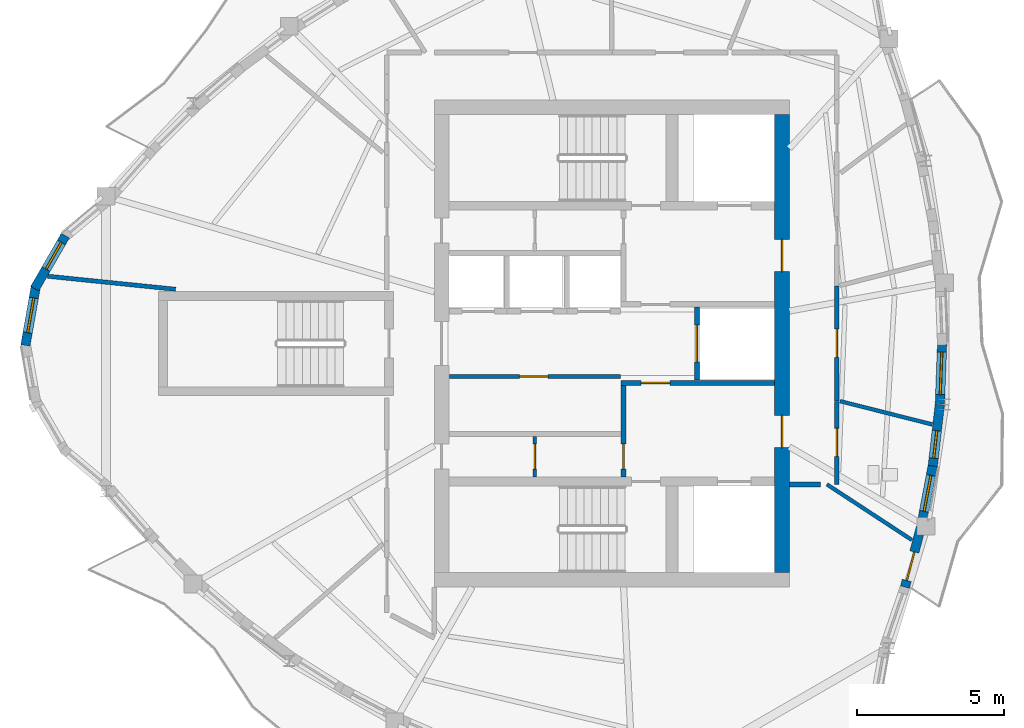
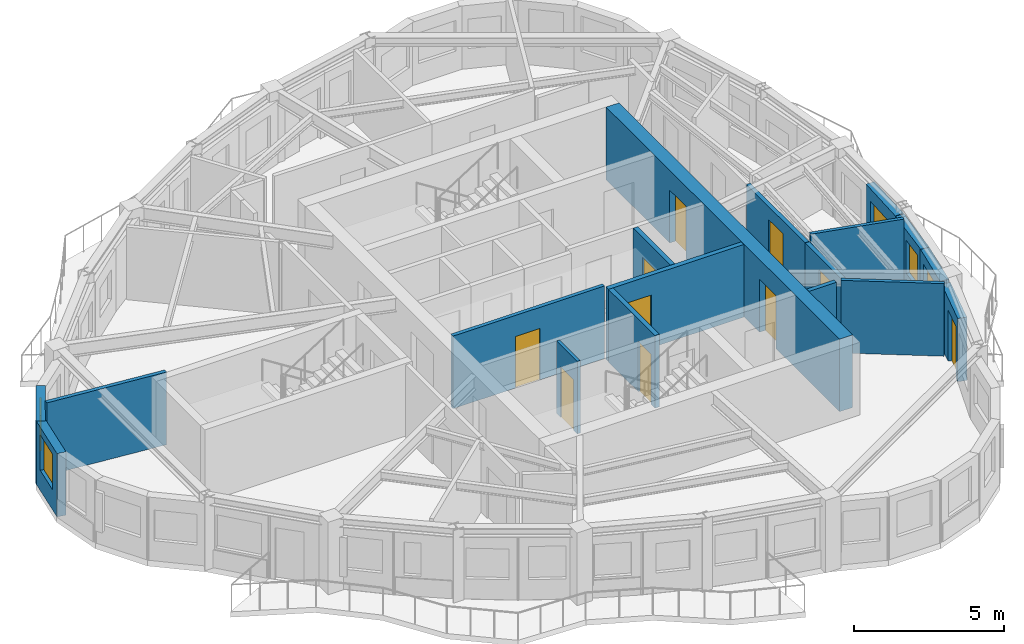
# One storey, part 4 of 11: 18 walls, 10 doors, 5 windows, 15 openings.
"""IFC4 building model written with IfcOpenShell, lengths in metres."""

from ifc_helpers import new_model, si_unit, direction, frame, frame_2d, origin, place, context, subcontext, project, spatial, rectangle, extrude, source, transform, mapped, material, layer, layer_set, type_object, element, fill, save


model = new_model("IFC4")

# Units and contexts
model_context = context("Model", 3, precision=1e-05, world=origin(), true_north=direction((0.0, 1.0)))
body_context = subcontext(model_context, "Body", "Model", "MODEL_VIEW")
ifc_project = project(units=[si_unit("LENGTHUNIT", "METRE"), si_unit("AREAUNIT", "SQUARE_METRE"), si_unit("VOLUMEUNIT", "CUBIC_METRE"), si_unit("PLANEANGLEUNIT", "RADIAN"), si_unit("MASSUNIT", "GRAM", prefix="KILO")], contexts=[model_context])

# Site, building, storey
site_placement = place(None, origin())
site = spatial("IfcSite", under=ifc_project, at=site_placement, CompositionType="ELEMENT")
building_placement = place(site_placement, origin())
building = spatial("IfcBuilding", under=site, at=building_placement, Name="Qafzar Sky-Pleat Residences", CompositionType="ELEMENT")
storey_placement = place(building_placement, frame((0.0, 0.0, 240.39990234375)))
storey = spatial("IfcBuildingStorey", under=building, at=storey_placement, Name="L72", CompositionType="ELEMENT", Elevation=240.39990234375)

# Wall, opening, door
ifc_material_1 = material(Name="Acoustic gypsum plasterboard partition", Category="gypsum")
ifc_layer_1 = layer(ifc_material_1, 0.159912109375)
ifc_layer_set_1 = layer_set([ifc_layer_1], Name="Acoustic gypsum plasterboard partition")
wall_type_1 = type_object("IfcWallType", Name="PART-COR-160", PredefinedType="PARTITIONING", material=ifc_layer_set_1)
wall_1_placement = place(storey_placement, frame((38.02001953125, 27.968994140625, 0.0), z_axis=(0.0, 0.0, 1.0), x_axis=(0.0, -1.0, 0.0)))
wall_1 = element("IfcWall", 1, at=wall_1_placement, inside=storey, type_object=wall_type_1, Name="L72 Partition Wall PART-L72-PW-005", PredefinedType="PARTITIONING", context=body_context, shape_type="SweptSolid", body=[
    extrude(rectangle(XDim=3.919921875, YDim=0.159912109375, at=frame_2d((1.9599609375, 0.0))), origin(), (0.0, 0.0, 1.0), 2.628173828125),
])
opening_1_placement = place(wall_1_placement, frame((1.4794921875, 0.0, 0.0)))
opening_1 = element("IfcOpeningElement", 2, at=opening_1_placement, cuts=wall_1, Name="Opening ID-06", PredefinedType="OPENING", context=body_context, shape_type="SweptSolid", body=[
    extrude(rectangle(XDim=0.9599609375, YDim=2.10009765625, at=frame_2d((0.47998046875, 1.050048828125))), frame((0.0, 0.08984375, 0.0), z_axis=(0.0, -1.0, 0.0), x_axis=(1.0, 0.0, 0.0)), (0.0, 0.0, 1.0), 0.179931640625),
])
ifc_material_2 = material(Name="Timber-faced fire door", Category="wood")
door_type_1 = type_object("IfcDoorType", Name="DR-STD-960", OperationType="NOTDEFINED", PredefinedType="DOOR", material=ifc_material_2)
shared_shape_1 = source(origin(), body_context, "Body", "SweptSolid", [
    extrude(rectangle(XDim=0.9599609375, YDim=2.10009765625, at=frame_2d((0.47998046875, 1.050048828125))), frame((0.0, 0.02490234375, 0.0), z_axis=(0.0, -1.0, 0.0), x_axis=(1.0, 0.0, 0.0)), (0.0, 0.0, 1.0), 0.050048828125),
])
door_1_placement = place(opening_1_placement, origin())
door_1 = element("IfcDoor", 3, at=door_1_placement, inside=storey, type_object=door_type_1, Name="L72 Media Screening Room Door", OperationType="SINGLE_SWING_RIGHT", OverallHeight=2.10009765625, OverallWidth=0.9599609375, PredefinedType="DOOR", context=body_context, shape_type="MappedRepresentation", body=[
    mapped(shared_shape_1, transform((0.0, 0.0, 0.0), x_axis=(1.0, 0.0, 0.0), y_axis=(0.0, 1.0, 0.0), z_axis=(0.0, 0.0, 1.0), scale=1.0)),
])
fill(opening_1, door_1)

wall_2_placement = place(storey_placement, frame((38.02001953125, 24.033935546875, 0.0), z_axis=(0.0, 0.0, 1.0), x_axis=(0.0, -1.0, 0.0)))
wall_2 = element("IfcWall", 4, at=wall_2_placement, inside=storey, type_object=wall_type_1, Name="L72 Partition Wall PART-L72-PW-007", PredefinedType="PARTITIONING", context=body_context, shape_type="SweptSolid", body=[
    extrude(rectangle(XDim=2.833984375, YDim=0.159912109375, at=frame_2d((1.4169921875, 0.0))), origin(), (0.0, 0.0, 1.0), 2.628173828125),
])
opening_2_placement = place(wall_2_placement, frame((0.926513671875, 0.0, 0.0)))
opening_2 = element("IfcOpeningElement", 5, at=opening_2_placement, cuts=wall_2, Name="Opening ID-08", PredefinedType="OPENING", context=body_context, shape_type="SweptSolid", body=[
    extrude(rectangle(XDim=0.949951171875, YDim=2.10009765625, at=frame_2d((0.47509765625, 1.050048828125))), frame((0.0, 0.08984375, 0.0), z_axis=(0.0, -1.0, 0.0), x_axis=(1.0, 0.0, 0.0)), (0.0, 0.0, 1.0), 0.179931640625),
])
door_type_2 = type_object("IfcDoorType", Name="DR-AWC-950", OperationType="NOTDEFINED", PredefinedType="DOOR", material=ifc_material_2)
shared_shape_2 = source(origin(), body_context, "Body", "SweptSolid", [
    extrude(rectangle(XDim=0.949951171875, YDim=2.10009765625, at=frame_2d((0.47509765625, 1.050048828125))), frame((0.0, 0.02490234375, 0.0), z_axis=(0.0, -1.0, 0.0), x_axis=(1.0, 0.0, 0.0)), (0.0, 0.0, 1.0), 0.050048828125),
])
door_2_placement = place(opening_2_placement, origin())
door_2 = element("IfcDoor", 6, at=door_2_placement, inside=storey, type_object=door_type_2, Name="L72 Accessible Shared Washroom Door", OperationType="SINGLE_SWING_RIGHT", OverallHeight=2.10009765625, OverallWidth=0.949951171875, PredefinedType="DOOR", context=body_context, shape_type="MappedRepresentation", body=[
    mapped(shared_shape_2, transform((0.0, 0.0, 0.0), x_axis=(1.0, 0.0, 0.0), y_axis=(0.0, 1.0, 0.0), z_axis=(0.0, 0.0, 1.0), scale=1.0)),
])
fill(opening_2, door_2)

# Wall
wall_3_placement = place(storey_placement, frame((36.407958984375, 21.199951171875, 0.0), z_axis=(0.0, 0.0, 1.0), x_axis=(1.0, 0.0, 0.0)))
element("IfcWall", 7, at=wall_3_placement, inside=storey, type_object=wall_type_1, Name="L72 Partition Wall PART-L72-PW-027", PredefinedType="PARTITIONING", context=body_context, shape_type="SweptSolid", body=[
    extrude(rectangle(XDim=1.06103515625, YDim=0.159912109375, at=frame_2d((0.530517578125, 0.0))), origin(), (0.0, 0.0, 1.0), 2.960205078125),
])

# Wall, opening, door
ifc_material_3 = material(Name="Concrete blockwork partition", Category="masonry")
ifc_layer_2 = layer(ifc_material_3, 0.179931640625)
ifc_layer_set_2 = layer_set([ifc_layer_2], Name="Concrete blockwork partition")
wall_type_2 = type_object("IfcWallType", Name="PART-SHAFT-180", PredefinedType="PARTITIONING", material=ifc_layer_set_2)
wall_4_placement = place(storey_placement, frame((30.75, 21.4599609375, 0.0), z_axis=(0.0, 0.0, 1.0), x_axis=(0.0, 1.0, 0.0)))
wall_4 = element("IfcWall", 8, at=wall_4_placement, inside=storey, type_object=wall_type_2, Name="L72 Partition Wall PART-L72-FFL1-W", PredefinedType="PARTITIONING", context=body_context, shape_type="SweptSolid", body=[
    extrude(rectangle(XDim=3.110107421875, YDim=0.179931640625, at=frame_2d((1.55517578125, 0.0))), origin(), (0.0, 0.0, 1.0), 2.960205078125),
])
opening_3_placement = place(wall_4_placement, frame((0.260009765625, 0.0, 0.0)))
opening_3 = element("IfcOpeningElement", 9, at=opening_3_placement, cuts=wall_4, Name="Opening ID-09", PredefinedType="OPENING", context=body_context, shape_type="SweptSolid", body=[
    extrude(rectangle(XDim=0.860107421875, YDim=2.050048828125, at=frame_2d((0.43017578125, 1.02490234375))), frame((0.0, 0.10009765625, 0.0), z_axis=(0.0, -1.0, 0.0), x_axis=(1.0, 0.0, 0.0)), (0.0, 0.0, 1.0), 0.199951171875),
])
door_type_3 = type_object("IfcDoorType", Name="DR-SVC-860", OperationType="NOTDEFINED", PredefinedType="DOOR", material=ifc_material_2)
shared_shape_3 = source(origin(), body_context, "Body", "SweptSolid", [
    extrude(rectangle(XDim=0.860107421875, YDim=2.050048828125, at=frame_2d((0.43017578125, 1.02490234375))), frame((0.0, 0.02490234375, 0.0), z_axis=(0.0, -1.0, 0.0), x_axis=(1.0, 0.0, 0.0)), (0.0, 0.0, 1.0), 0.050048828125),
])
door_3_placement = place(opening_3_placement, origin())
door_3 = element("IfcDoor", 10, at=door_3_placement, inside=storey, type_object=door_type_3, Name="L72 South Core Cupboard Door", OperationType="SINGLE_SWING_RIGHT", OverallHeight=2.050048828125, OverallWidth=0.860107421875, PredefinedType="DOOR", context=body_context, shape_type="MappedRepresentation", body=[
    mapped(shared_shape_3, transform((0.0, 0.0, 0.0), x_axis=(1.0, 0.0, 0.0), y_axis=(0.0, 1.0, 0.0), z_axis=(0.0, 0.0, 1.0), scale=1.0)),
])
fill(opening_3, door_3)

wall_5_placement = place(storey_placement, frame((30.669921875, 24.659912109375, 0.0), z_axis=(0.0, 0.0, 1.0), x_axis=(1.0, 0.0, 0.0)))
wall_5 = element("IfcWall", 11, at=wall_5_placement, inside=storey, type_object=wall_type_2, Name="L72 Partition Wall PART-L72-FFL1-N", PredefinedType="PARTITIONING", context=body_context, shape_type="SweptSolid", body=[
    extrude(rectangle(XDim=5.219970703125, YDim=0.179931640625, at=frame_2d((2.60986328125, 0.0))), origin(), (0.0, 0.0, 1.0), 2.960205078125),
])
opening_4_placement = place(wall_5_placement, frame((0.679931640625, 0.0, 0.0)))
opening_4 = element("IfcOpeningElement", 12, at=opening_4_placement, cuts=wall_5, Name="Opening ID-01", PredefinedType="OPENING", context=body_context, shape_type="SweptSolid", body=[
    extrude(rectangle(XDim=0.97998046875, YDim=2.14990234375, at=frame_2d((0.489990234375, 1.074951171875))), frame((0.0, 0.10009765625, 0.0), z_axis=(0.0, -1.0, 0.0), x_axis=(1.0, 0.0, 0.0)), (0.0, 0.0, 1.0), 0.199951171875),
])
door_type_4 = type_object("IfcDoorType", Name="DR-STAIR-980", OperationType="NOTDEFINED", PredefinedType="DOOR", material=ifc_material_2)
shared_shape_4 = source(origin(), body_context, "Body", "SweptSolid", [
    extrude(rectangle(XDim=0.97998046875, YDim=2.14990234375, at=frame_2d((0.489990234375, 1.074951171875))), frame((0.0, 0.02490234375, 0.0), z_axis=(0.0, -1.0, 0.0), x_axis=(1.0, 0.0, 0.0)), (0.0, 0.0, 1.0), 0.050048828125),
])
door_4_placement = place(opening_4_placement, origin())
door_4 = element("IfcDoor", 13, at=door_4_placement, inside=storey, type_object=door_type_4, Name="L72 Lift Lobby to South Firefighting Lobby Door", OperationType="SINGLE_SWING_LEFT", OverallHeight=2.14990234375, OverallWidth=0.97998046875, PredefinedType="DOOR", context=body_context, shape_type="MappedRepresentation", body=[
    mapped(shared_shape_4, transform((0.0, 0.0, 0.0), x_axis=(1.0, 0.0, 0.0), y_axis=(0.0, 1.0, 0.0), z_axis=(0.0, 0.0, 1.0), scale=1.0)),
])
fill(opening_4, door_4)

wall_6_placement = place(storey_placement, frame((33.25, 24.760009765625, 0.0), z_axis=(0.0, 0.0, 1.0), x_axis=(0.0, 1.0, 0.0)))
wall_6 = element("IfcWall", 14, at=wall_6_placement, inside=storey, type_object=wall_type_2, Name="L72 Partition Wall PART-L72-SV1-W", PredefinedType="PARTITIONING", context=body_context, shape_type="SweptSolid", body=[
    extrude(rectangle(XDim=2.47998046875, YDim=0.179931640625, at=frame_2d((1.239990234375, 0.0))), origin(), (0.0, 0.0, 1.0), 2.960205078125),
])
opening_5_placement = place(wall_6_placement, frame((0.614990234375, 0.0, 0.0)))
opening_5 = element("IfcOpeningElement", 15, at=opening_5_placement, cuts=wall_6, Name="Opening LD-03", PredefinedType="OPENING", context=body_context, shape_type="SweptSolid", body=[
    extrude(rectangle(XDim=1.25, YDim=2.14990234375, at=frame_2d((0.625, 1.074951171875))), frame((0.0, 0.10009765625, 0.0), z_axis=(0.0, -1.0, 0.0), x_axis=(1.0, 0.0, 0.0)), (0.0, 0.0, 1.0), 0.199951171875),
])
ifc_material_4 = material(Name="Stainless steel sliding landing door", Category="steel")
door_type_5 = type_object("IfcDoorType", Name="DR-LIFT-SV", OperationType="DOUBLE_DOOR_SLIDING", PredefinedType="DOOR", material=ifc_material_4)
shared_shape_5 = source(origin(), body_context, "Body", "SweptSolid", [
    extrude(rectangle(XDim=1.25, YDim=2.14990234375, at=frame_2d((0.625, 1.074951171875))), frame((0.0, 0.02490234375, 0.0), z_axis=(0.0, -1.0, 0.0), x_axis=(1.0, 0.0, 0.0)), (0.0, 0.0, 1.0), 0.050048828125),
])
door_5_placement = place(opening_5_placement, origin())
door_5 = element("IfcDoor", 16, at=door_5_placement, inside=storey, type_object=door_type_5, Name="L72 Service Lift SV1 Landing Door", OperationType="DOUBLE_DOOR_SLIDING", OverallHeight=2.14990234375, OverallWidth=1.25, PredefinedType="DOOR", context=body_context, shape_type="MappedRepresentation", body=[
    mapped(shared_shape_5, transform((0.0, 0.0, 0.0), x_axis=(1.0, 0.0, 0.0), y_axis=(0.0, 1.0, 0.0), z_axis=(0.0, 0.0, 1.0), scale=1.0)),
])
fill(opening_5, door_5)

ifc_material_5 = material(Name="Gypsum plasterboard partition", Category="gypsum")
ifc_layer_3 = layer(ifc_material_5, 0.114990234375)
ifc_layer_set_3 = layer_set([ifc_layer_3], Name="Gypsum plasterboard partition")
wall_type_3 = type_object("IfcWallType", Name="PART-SVC-115", PredefinedType="PARTITIONING", material=ifc_layer_set_3)
wall_7_placement = place(storey_placement, frame((27.72509765625, 21.4599609375, 0.0), z_axis=(0.0, 0.0, 1.0), x_axis=(0.0, 1.0, 0.0)))
wall_7 = element("IfcWall", 17, at=wall_7_placement, inside=storey, type_object=wall_type_3, Name="L72 Partition Wall PART-L72-KB-SW", PredefinedType="PARTITIONING", context=body_context, shape_type="SweptSolid", body=[
    extrude(rectangle(XDim=1.380126953125, YDim=0.114990234375, at=frame_2d((0.68994140625, 0.0))), origin(), (0.0, 0.0, 1.0), 2.960205078125),
])
opening_6_placement = place(wall_7_placement, frame((0.260009765625, 0.0, 0.0)))
opening_6 = element("IfcOpeningElement", 18, at=opening_6_placement, cuts=wall_7, Name="Opening ID-09", PredefinedType="OPENING", context=body_context, shape_type="SweptSolid", body=[
    extrude(rectangle(XDim=0.860107421875, YDim=2.050048828125, at=frame_2d((0.43017578125, 1.02490234375))), frame((0.0, 0.0673828125, 0.0), z_axis=(0.0, -1.0, 0.0), x_axis=(1.0, 0.0, 0.0)), (0.0, 0.0, 1.0), 0.135009765625),
])
door_6_placement = place(opening_6_placement, origin())
door_6 = element("IfcDoor", 19, at=door_6_placement, inside=storey, type_object=door_type_3, Name="L72 BMS Metering Cupboard Door", OperationType="SINGLE_SWING_LEFT", OverallHeight=2.050048828125, OverallWidth=0.860107421875, PredefinedType="DOOR", context=body_context, shape_type="MappedRepresentation", body=[
    mapped(shared_shape_3, transform((0.0, 0.0, 0.0), x_axis=(1.0, 0.0, 0.0), y_axis=(0.0, 1.0, 0.0), z_axis=(0.0, 0.0, 1.0), scale=1.0)),
])
fill(opening_6, door_6)

ifc_layer_4 = layer(ifc_material_1, 0.14501953125)
ifc_layer_set_4 = layer_set([ifc_layer_4], Name="Acoustic gypsum plasterboard partition")
wall_type_4 = type_object("IfcWallType", Name="PART-UNIT-145", PredefinedType="PARTITIONING", material=ifc_layer_set_4)
wall_8_placement = place(storey_placement, frame((24.81005859375, 24.8798828125, 0.0), z_axis=(0.0, 0.0, 1.0), x_axis=(1.0, 0.0, 0.0)))
wall_8 = element("IfcWall", 20, at=wall_8_placement, inside=storey, type_object=wall_type_4, Name="L72 Partition Wall PART-L72-RECLAIM-N", PredefinedType="PARTITIONING", context=body_context, shape_type="SweptSolid", body=[
    extrude(rectangle(XDim=5.83984375, YDim=0.14501953125, at=frame_2d((2.919921875, 0.0))), origin(), (0.0, 0.0, 1.0), 2.960205078125),
])
opening_7_placement = place(wall_8_placement, frame((2.39990234375, 0.0, 0.0)))
opening_7 = element("IfcOpeningElement", 21, at=opening_7_placement, cuts=wall_8, Name="Opening ID-06", PredefinedType="OPENING", context=body_context, shape_type="SweptSolid", body=[
    extrude(rectangle(XDim=0.9599609375, YDim=2.10009765625, at=frame_2d((0.47998046875, 1.050048828125))), frame((0.0, 0.08251953125, 0.0), z_axis=(0.0, -1.0, 0.0), x_axis=(1.0, 0.0, 0.0)), (0.0, 0.0, 1.0), 0.1650390625),
])
door_7_placement = place(opening_7_placement, origin())
door_7 = element("IfcDoor", 22, at=door_7_placement, inside=storey, type_object=door_type_1, Name="L72 Reclaimed Resident Laundry Room Door", OperationType="SINGLE_SWING_RIGHT", OverallHeight=2.10009765625, OverallWidth=0.9599609375, PredefinedType="DOOR", context=body_context, shape_type="MappedRepresentation", body=[
    mapped(shared_shape_1, transform((0.0, 0.0, 0.0), x_axis=(1.0, 0.0, 0.0), y_axis=(0.0, 1.0, 0.0), z_axis=(0.0, 0.0, 1.0), scale=1.0)),
])
fill(opening_7, door_7)

# Walls
wall_9_placement = place(storey_placement, frame((11.1220703125, 28.29541015625, 0.0), z_axis=(0.0, 0.0, 1.0), x_axis=(0.994824263869, -0.101610452307, 0.0)))
element("IfcWall", 23, at=wall_9_placement, inside=storey, type_object=wall_type_4, Name="L72 Partition Wall PART-L72-PW-015", PredefinedType="PARTITIONING", context=body_context, shape_type="SweptSolid", body=[
    extrude(rectangle(XDim=4.382568359375, YDim=0.14501953125, at=frame_2d((2.19140625, 0.0))), origin(), (0.0, 0.0, 1.0), 2.960205078125),
])
ifc_material_6 = material(Name="Moisture-resistant gypsum partition", Category="gypsum")
ifc_layer_5 = layer(ifc_material_6, 0.1298828125)
ifc_layer_set_5 = layer_set([ifc_layer_5], Name="Moisture-resistant gypsum partition")
wall_type_5 = type_object("IfcWallType", Name="PART-WET-130", PredefinedType="PARTITIONING", material=ifc_layer_set_5)
wall_10_placement = place(storey_placement, frame((37.681884765625, 21.199951171875, 0.0), z_axis=(0.0, 0.0, 1.0), x_axis=(0.836735641589, -0.547607036199, 0.0)))
element("IfcWall", 24, at=wall_10_placement, inside=storey, type_object=wall_type_5, Name="L72 Partition Wall PART-L72-PW-016", PredefinedType="PARTITIONING", context=body_context, shape_type="SweptSolid", body=[
    extrude(rectangle(XDim=3.45703125, YDim=0.1298828125, at=frame_2d((1.728515625, 0.0))), origin(), (0.0, 0.0, 1.0), 2.960205078125),
])
wall_11_placement = place(storey_placement, frame((38.123779296875, 24.038818359375, 0.0), z_axis=(0.0, 0.0, 1.0), x_axis=(0.969564932613, -0.244834314275, 0.0)))
element("IfcWall", 25, at=wall_11_placement, inside=storey, type_object=wall_type_5, Name="L72 Partition Wall PART-L72-PW-017", PredefinedType="PARTITIONING", context=body_context, shape_type="SweptSolid", body=[
    extrude(rectangle(XDim=3.247802734375, YDim=0.1298828125, at=frame_2d((1.6240234375, 0.0))), origin(), (0.0, 0.0, 1.0), 2.960205078125),
])

# Wall, opening, window
ifc_material_7 = material(Name="Precast concrete C40/50 with honed Riyadh limestone", Category="concrete")
ifc_layer_6 = layer(ifc_material_7, 0.320068359375)
ifc_layer_set_6 = layer_set([ifc_layer_6], Name="Precast concrete C40/50 with honed Riyadh limestone")
wall_type_6 = type_object("IfcWallType", Name="WALL-EXT-320", PredefinedType="SOLIDWALL", material=ifc_layer_set_6)
wall_12_placement = place(storey_placement, frame((11.724609375, 29.68115234375, 0.0), z_axis=(0.0, 0.0, 1.0), x_axis=(-0.499995423472, -0.866028046028, 0.0)))
wall_12 = element("IfcWall", 26, at=wall_12_placement, inside=storey, type_object=wall_type_6, Name="L72 Limestone Facade Wall 2", PredefinedType="SOLIDWALL", context=body_context, shape_type="SweptSolid", body=[
    extrude(rectangle(XDim=2.09033203125, YDim=0.320068359375, at=frame_2d((1.045166015625, 0.0))), origin(), (0.0, 0.0, 1.0), 2.580078125),
])
opening_8_placement = place(wall_12_placement, frame((0.27001953125, 0.0, 0.820068359375)))
opening_8 = element("IfcOpeningElement", 27, at=opening_8_placement, cuts=wall_12, Name="Opening WN-06", PredefinedType="OPENING", context=body_context, shape_type="SweptSolid", body=[
    extrude(rectangle(XDim=1.050048828125, YDim=1.449951171875, at=frame_2d((0.52490234375, 0.72509765625))), frame((0.0, 0.169921875, 0.0), z_axis=(0.0, -1.0, 0.0), x_axis=(1.0, 0.0, 0.0)), (0.0, 0.0, 1.0), 0.340087890625),
])
ifc_material_8 = material(Name="Solar-control low-E glass in bronze aluminium frame", Category="glass")
window_type_1 = type_object("IfcWindowType", Name="WIN-06", PartitioningType="SINGLE_PANEL", PredefinedType="WINDOW", material=ifc_material_8)
shared_shape_6 = source(origin(), body_context, "Body", "SweptSolid", [
    extrude(rectangle(XDim=1.050048828125, YDim=1.449951171875, at=frame_2d((0.52490234375, 0.72509765625))), frame((0.0, 0.030029296875, 0.0), z_axis=(0.0, -1.0, 0.0), x_axis=(1.0, 0.0, 0.0)), (0.0, 0.0, 1.0), 0.06005859375),
])
window_1_placement = place(opening_8_placement, origin())
window_1 = element("IfcWindow", 28, at=window_1_placement, inside=storey, type_object=window_type_1, Name="L72 Punched Facade Window 02", OverallHeight=1.449951171875, OverallWidth=1.050048828125, PartitioningType="SINGLE_PANEL", PredefinedType="WINDOW", context=body_context, shape_type="MappedRepresentation", body=[
    mapped(shared_shape_6, transform((0.0, 0.0, 0.0), x_axis=(1.0, 0.0, 0.0), y_axis=(0.0, 1.0, 0.0), z_axis=(0.0, 0.0, 1.0), scale=1.0)),
])
fill(opening_8, window_1)

wall_13_placement = place(storey_placement, frame((10.72412109375, 27.993408203125, 0.0), z_axis=(0.0, 0.0, 1.0), x_axis=(-0.173672066494, -0.984803540469, 0.0)))
wall_13 = element("IfcWall", 29, at=wall_13_placement, inside=storey, type_object=wall_type_6, Name="L72 Limestone Facade Wall 3", PredefinedType="SOLIDWALL", context=body_context, shape_type="SweptSolid", body=[
    extrude(rectangle(XDim=2.09033203125, YDim=0.320068359375, at=frame_2d((1.045166015625, 0.0))), origin(), (0.0, 0.0, 1.0), 2.580078125),
])
opening_9_placement = place(wall_13_placement, frame((0.4453125, 0.0, 0.820068359375)))
opening_9 = element("IfcOpeningElement", 30, at=opening_9_placement, cuts=wall_13, Name="Opening WN-05", PredefinedType="OPENING", context=body_context, shape_type="SweptSolid", body=[
    extrude(rectangle(XDim=1.199951171875, YDim=1.449951171875, at=frame_2d((0.60009765625, 0.72509765625))), frame((0.0, 0.169921875, 0.0), z_axis=(0.0, -1.0, 0.0), x_axis=(1.0, 0.0, 0.0)), (0.0, 0.0, 1.0), 0.340087890625),
])
window_type_2 = type_object("IfcWindowType", Name="WIN-05", PartitioningType="SINGLE_PANEL", PredefinedType="WINDOW", material=ifc_material_8)
shared_shape_7 = source(origin(), body_context, "Body", "SweptSolid", [
    extrude(rectangle(XDim=1.199951171875, YDim=1.449951171875, at=frame_2d((0.60009765625, 0.72509765625))), frame((0.0, 0.030029296875, 0.0), z_axis=(0.0, -1.0, 0.0), x_axis=(1.0, 0.0, 0.0)), (0.0, 0.0, 1.0), 0.06005859375),
])
window_2_placement = place(opening_9_placement, origin())
window_2 = element("IfcWindow", 31, at=window_2_placement, inside=storey, type_object=window_type_2, Name="L72 Punched Facade Window 03", OverallHeight=1.449951171875, OverallWidth=1.199951171875, PartitioningType="SINGLE_PANEL", PredefinedType="WINDOW", context=body_context, shape_type="MappedRepresentation", body=[
    mapped(shared_shape_7, transform((0.0, 0.0, 0.0), x_axis=(1.0, 0.0, 0.0), y_axis=(0.0, 1.0, 0.0), z_axis=(0.0, 0.0, 1.0), scale=1.0)),
])
fill(opening_9, window_2)

# Wall, opening, door
wall_14_placement = place(storey_placement, frame((40.3408203125, 17.697509765625, 0.0), z_axis=(0.0, 0.0, 1.0), x_axis=(0.257053933935, 0.966397058692, 0.0)))
wall_14 = element("IfcWall", 32, at=wall_14_placement, inside=storey, type_object=wall_type_6, Name="L72 Limestone Facade Wall 24", PredefinedType="SOLIDWALL", context=body_context, shape_type="SweptSolid", body=[
    extrude(rectangle(XDim=2.09716796875, YDim=0.320068359375, at=frame_2d((1.048583984375, 0.0))), origin(), (0.0, 0.0, 1.0), 2.580078125),
])
opening_10_placement = place(wall_14_placement, frame((0.239990234375, 0.0, 0.0)))
opening_10 = element("IfcOpeningElement", 33, at=opening_10_placement, cuts=wall_14, Name="Opening ED-05", PredefinedType="OPENING", context=body_context, shape_type="SweptSolid", body=[
    extrude(rectangle(XDim=1.0, YDim=2.10009765625, at=frame_2d((0.5, 1.050048828125))), frame((0.0, 0.169921875, 0.0), z_axis=(0.0, -1.0, 0.0), x_axis=(1.0, 0.0, 0.0)), (0.0, 0.0, 1.0), 0.340087890625),
])
ifc_material_9 = material(Name="Glazed bronze aluminium door", Category="aluminium")
door_type_6 = type_object("IfcDoorType", Name="DR-BAL-1000", OperationType="NOTDEFINED", PredefinedType="DOOR", material=ifc_material_9)
shared_shape_8 = source(origin(), body_context, "Body", "SweptSolid", [
    extrude(rectangle(XDim=1.0, YDim=2.10009765625, at=frame_2d((0.5, 1.050048828125))), frame((0.0, 0.02490234375, 0.0), z_axis=(0.0, -1.0, 0.0), x_axis=(1.0, 0.0, 0.0)), (0.0, 0.0, 1.0), 0.050048828125),
])
door_8_placement = place(opening_10_placement, origin())
door_8 = element("IfcDoor", 34, at=door_8_placement, inside=storey, type_object=door_type_6, Name="L72 Glazed Balcony Door 1", OperationType="SINGLE_SWING_LEFT", OverallHeight=2.10009765625, OverallWidth=1.0, PredefinedType="DOOR", context=body_context, shape_type="MappedRepresentation", body=[
    mapped(shared_shape_8, transform((0.0, 0.0, 0.0), x_axis=(1.0, 0.0, 0.0), y_axis=(0.0, 1.0, 0.0), z_axis=(0.0, 0.0, 1.0), scale=1.0)),
])
fill(opening_10, door_8)

# Wall, opening, window
wall_15_placement = place(storey_placement, frame((40.917236328125, 19.88818359375, 0.0), z_axis=(0.0, 0.0, 1.0), x_axis=(0.186611504025, 0.98243378737, 0.0)))
wall_15 = element("IfcWall", 35, at=wall_15_placement, inside=storey, type_object=wall_type_6, Name="L72 Limestone Facade Wall 25", PredefinedType="SOLIDWALL", context=body_context, shape_type="SweptSolid", body=[
    extrude(rectangle(XDim=2.061767578125, YDim=0.320068359375, at=frame_2d((1.03076171875, 0.0))), origin(), (0.0, 0.0, 1.0), 2.580078125),
])
opening_11_placement = place(wall_15_placement, frame((0.40087890625, 0.0, 0.820068359375)))
opening_11 = element("IfcOpeningElement", 36, at=opening_11_placement, cuts=wall_15, Name="Opening WN-11", PredefinedType="OPENING", context=body_context, shape_type="SweptSolid", body=[
    extrude(rectangle(XDim=1.25, YDim=1.35009765625, at=frame_2d((0.625, 0.675048828125))), frame((0.0, 0.169921875, 0.0), z_axis=(0.0, -1.0, 0.0), x_axis=(1.0, 0.0, 0.0)), (0.0, 0.0, 1.0), 0.340087890625),
])
window_type_3 = type_object("IfcWindowType", Name="WIN-11", PartitioningType="SINGLE_PANEL", PredefinedType="WINDOW", material=ifc_material_8)
shared_shape_9 = source(origin(), body_context, "Body", "SweptSolid", [
    extrude(rectangle(XDim=1.25, YDim=1.35009765625, at=frame_2d((0.625, 0.675048828125))), frame((0.0, 0.030029296875, 0.0), z_axis=(0.0, -1.0, 0.0), x_axis=(1.0, 0.0, 0.0)), (0.0, 0.0, 1.0), 0.06005859375),
])
window_3_placement = place(opening_11_placement, origin())
window_3 = element("IfcWindow", 37, at=window_3_placement, inside=storey, type_object=window_type_3, Name="L72 Punched Facade Window 25", OverallHeight=1.35009765625, OverallWidth=1.25, PartitioningType="SINGLE_PANEL", PredefinedType="WINDOW", context=body_context, shape_type="MappedRepresentation", body=[
    mapped(shared_shape_9, transform((0.0, 0.0, 0.0), x_axis=(1.0, 0.0, 0.0), y_axis=(0.0, 1.0, 0.0), z_axis=(0.0, 0.0, 1.0), scale=1.0)),
])
fill(opening_11, window_3)

wall_16_placement = place(storey_placement, frame((41.288818359375, 21.826904296875, 0.0), z_axis=(0.0, 0.0, 1.0), x_axis=(0.113366965958, 0.993553184802, 0.0)))
wall_16 = element("IfcWall", 38, at=wall_16_placement, inside=storey, type_object=wall_type_6, Name="L72 Limestone Facade Wall 26", PredefinedType="SOLIDWALL", context=body_context, shape_type="SweptSolid", body=[
    extrude(rectangle(XDim=2.1083984375, YDim=0.320068359375, at=frame_2d((1.05419921875, 0.0))), origin(), (0.0, 0.0, 1.0), 2.580078125),
])
opening_12_placement = place(wall_16_placement, frame((0.26611328125, 0.0, 0.820068359375)))
opening_12 = element("IfcOpeningElement", 39, at=opening_12_placement, cuts=wall_16, Name="Opening WN-12", PredefinedType="OPENING", context=body_context, shape_type="SweptSolid", body=[
    extrude(rectangle(XDim=0.949951171875, YDim=1.35009765625, at=frame_2d((0.47509765625, 0.675048828125))), frame((0.0, 0.169921875, 0.0), z_axis=(0.0, -1.0, 0.0), x_axis=(1.0, 0.0, 0.0)), (0.0, 0.0, 1.0), 0.340087890625),
])
window_type_4 = type_object("IfcWindowType", Name="WIN-12", PartitioningType="SINGLE_PANEL", PredefinedType="WINDOW", material=ifc_material_8)
shared_shape_10 = source(origin(), body_context, "Body", "SweptSolid", [
    extrude(rectangle(XDim=0.949951171875, YDim=1.35009765625, at=frame_2d((0.47509765625, 0.675048828125))), frame((0.0, 0.030029296875, 0.0), z_axis=(0.0, -1.0, 0.0), x_axis=(1.0, 0.0, 0.0)), (0.0, 0.0, 1.0), 0.06005859375),
])
window_4_placement = place(opening_12_placement, origin())
window_4 = element("IfcWindow", 40, at=window_4_placement, inside=storey, type_object=window_type_4, Name="L72 Punched Facade Window 26", OverallHeight=1.35009765625, OverallWidth=0.949951171875, PartitioningType="SINGLE_PANEL", PredefinedType="WINDOW", context=body_context, shape_type="MappedRepresentation", body=[
    mapped(shared_shape_10, transform((0.0, 0.0, 0.0), x_axis=(1.0, 0.0, 0.0), y_axis=(0.0, 1.0, 0.0), z_axis=(0.0, 0.0, 1.0), scale=1.0)),
])
fill(opening_12, window_4)

wall_17_placement = place(storey_placement, frame((41.52978515625, 23.949462890625, 0.0), z_axis=(0.0, 0.0, 1.0), x_axis=(0.038088671965, 0.99927436326, 0.0)))
wall_17 = element("IfcWall", 41, at=wall_17_placement, inside=storey, type_object=wall_type_6, Name="L72 Limestone Facade Wall 27", PredefinedType="SOLIDWALL", context=body_context, shape_type="SweptSolid", body=[
    extrude(rectangle(XDim=2.095947265625, YDim=0.320068359375, at=frame_2d((1.0478515625, 0.0))), origin(), (0.0, 0.0, 1.0), 2.580078125),
])
opening_13_placement = place(wall_17_placement, frame((0.31298828125, 0.0, 0.820068359375)))
opening_13 = element("IfcOpeningElement", 42, at=opening_13_placement, cuts=wall_17, Name="Opening WN-15", PredefinedType="OPENING", context=body_context, shape_type="SweptSolid", body=[
    extrude(rectangle(XDim=1.449951171875, YDim=1.25, at=frame_2d((0.72509765625, 0.625))), frame((0.0, 0.169921875, 0.0), z_axis=(0.0, -1.0, 0.0), x_axis=(1.0, 0.0, 0.0)), (0.0, 0.0, 1.0), 0.340087890625),
])
window_type_5 = type_object("IfcWindowType", Name="WIN-15", PartitioningType="SINGLE_PANEL", PredefinedType="WINDOW", material=ifc_material_8)
shared_shape_11 = source(origin(), body_context, "Body", "SweptSolid", [
    extrude(rectangle(XDim=1.449951171875, YDim=1.25, at=frame_2d((0.72509765625, 0.625))), frame((0.0, 0.030029296875, 0.0), z_axis=(0.0, -1.0, 0.0), x_axis=(1.0, 0.0, 0.0)), (0.0, 0.0, 1.0), 0.06005859375),
])
window_5_placement = place(opening_13_placement, origin())
window_5 = element("IfcWindow", 43, at=window_5_placement, inside=storey, type_object=window_type_5, Name="L72 Punched Facade Window 27", OverallHeight=1.25, OverallWidth=1.449951171875, PartitioningType="SINGLE_PANEL", PredefinedType="WINDOW", context=body_context, shape_type="MappedRepresentation", body=[
    mapped(shared_shape_11, transform((0.0, 0.0, 0.0), x_axis=(1.0, 0.0, 0.0), y_axis=(0.0, 1.0, 0.0), z_axis=(0.0, 0.0, 1.0), scale=1.0)),
])
fill(opening_13, window_5)

# Wall, openings, doors
ifc_material_10 = material(Name="Concrete C60/75", Category="concrete")
ifc_layer_7 = layer(ifc_material_10, 0.5)
ifc_layer_set_7 = layer_set([ifc_layer_7], Name="Concrete C60/75")
wall_type_7 = type_object("IfcWallType", Name="WALL-SHEAR-500", PredefinedType="SHEAR", material=ifc_layer_set_7)
wall_18_placement = place(storey_placement, frame((36.14990234375, 18.199951171875, 0.0), z_axis=(0.0, 0.0, 1.0), x_axis=(0.0, 1.0, 0.0)))
wall_18 = element("IfcWall", 44, at=wall_18_placement, inside=storey, type_object=wall_type_7, Name="L72 CORE wall E", PredefinedType="SHEAR", context=body_context, shape_type="SweptSolid", body=[
    extrude(rectangle(XDim=15.60009765625, YDim=0.5, at=frame_2d((7.800048828125, 0.0))), origin(), (0.0, 0.0, 1.0), 2.960205078125),
])
opening_14_placement = place(wall_18_placement, frame((4.25, 0.0, 0.0)))
opening_14 = element("IfcOpeningElement", 45, at=opening_14_placement, cuts=wall_18, Name="Opening ID-02", PredefinedType="OPENING", context=body_context, shape_type="SweptSolid", body=[
    extrude(rectangle(XDim=1.10009765625, YDim=2.14990234375, at=frame_2d((0.550048828125, 1.074951171875))), frame((0.0, 0.260009765625, 0.0), z_axis=(0.0, -1.0, 0.0), x_axis=(1.0, 0.0, 0.0)), (0.0, 0.0, 1.0), 0.52001953125),
])
opening_15_placement = place(wall_18_placement, frame((10.25, 0.0, 0.0)))
opening_15 = element("IfcOpeningElement", 46, at=opening_15_placement, cuts=wall_18, Name="Opening ID-02", PredefinedType="OPENING", context=body_context, shape_type="SweptSolid", body=[
    extrude(rectangle(XDim=1.10009765625, YDim=2.14990234375, at=frame_2d((0.550048828125, 1.074951171875))), frame((0.0, 0.260009765625, 0.0), z_axis=(0.0, -1.0, 0.0), x_axis=(1.0, 0.0, 0.0)), (0.0, 0.0, 1.0), 0.52001953125),
])
door_type_7 = type_object("IfcDoorType", Name="DR-FFL-1100", OperationType="NOTDEFINED", PredefinedType="DOOR", material=ifc_material_2)
shared_shape_12 = source(origin(), body_context, "Body", "SweptSolid", [
    extrude(rectangle(XDim=1.10009765625, YDim=2.14990234375, at=frame_2d((0.550048828125, 1.074951171875))), frame((0.0, 0.02490234375, 0.0), z_axis=(0.0, -1.0, 0.0), x_axis=(1.0, 0.0, 0.0)), (0.0, 0.0, 1.0), 0.050048828125),
])
door_9_placement = place(opening_14_placement, origin())
door_9 = element("IfcDoor", 47, at=door_9_placement, inside=storey, type_object=door_type_7, Name="L72 Firefighting Lobby South Corridor Door", OperationType="SINGLE_SWING_RIGHT", OverallHeight=2.14990234375, OverallWidth=1.10009765625, PredefinedType="DOOR", context=body_context, shape_type="MappedRepresentation", body=[
    mapped(shared_shape_12, transform((0.0, 0.0, 0.0), x_axis=(1.0, 0.0, 0.0), y_axis=(0.0, 1.0, 0.0), z_axis=(0.0, 0.0, 1.0), scale=1.0)),
])
fill(opening_14, door_9)
door_10_placement = place(opening_15_placement, origin())
door_10 = element("IfcDoor", 48, at=door_10_placement, inside=storey, type_object=door_type_7, Name="L72 Firefighting Lobby North Corridor Door", OperationType="SINGLE_SWING_LEFT", OverallHeight=2.14990234375, OverallWidth=1.10009765625, PredefinedType="DOOR", context=body_context, shape_type="MappedRepresentation", body=[
    mapped(shared_shape_12, transform((0.0, 0.0, 0.0), x_axis=(1.0, 0.0, 0.0), y_axis=(0.0, 1.0, 0.0), z_axis=(0.0, 0.0, 1.0), scale=1.0)),
])
fill(opening_15, door_10)

save(model, "model.ifc")
